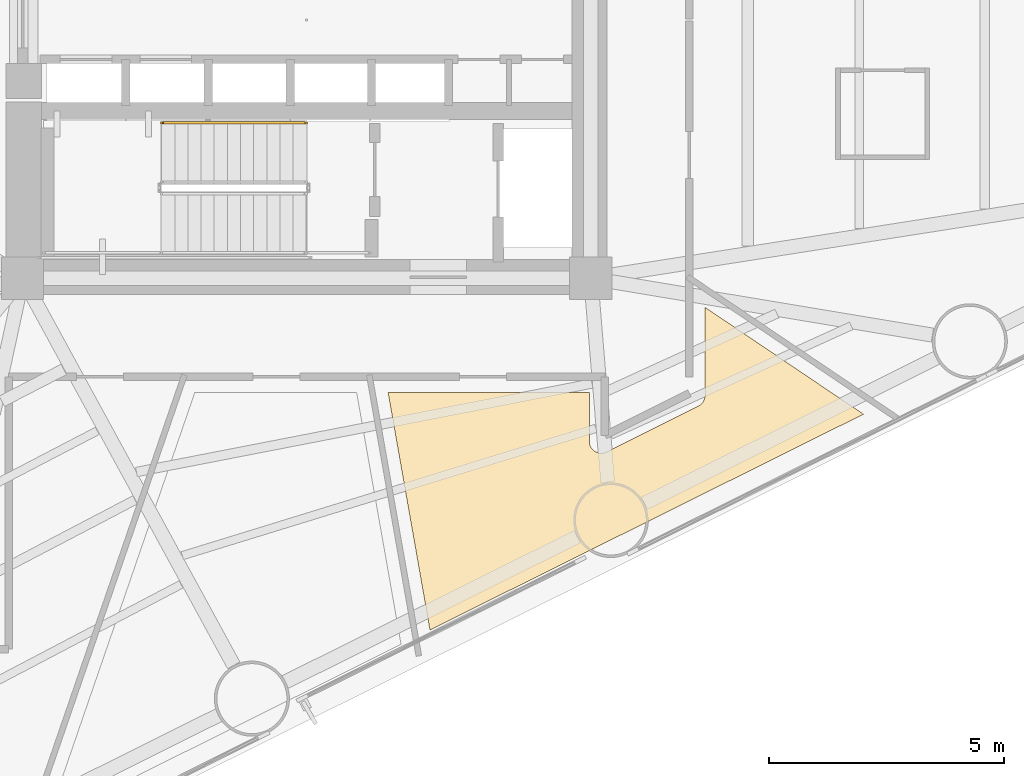
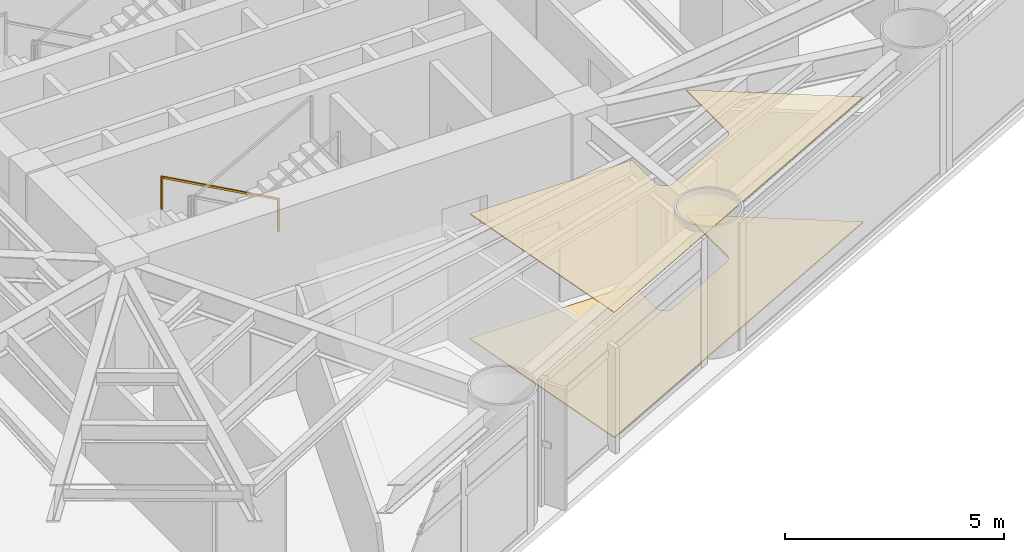
# One storey, part 9 of 11: 2 coverings, 1 railing.
"""IFC4 building model written with IfcOpenShell, lengths in metres."""

from ifc_helpers import new_model, si_unit, direction, frame, origin, origin_2d, place, context, subcontext, project, spatial, polyline, rectangle, outline, extrude, material, layer, layer_set, type_object, element, save


model = new_model("IFC4")

# Units and contexts
model_context = context("Model", 3, precision=1e-05, world=origin(), true_north=direction((0.0, 1.0)))
body_context = subcontext(model_context, "Body", "Model", "MODEL_VIEW")
ifc_project = project(units=[si_unit("LENGTHUNIT", "METRE"), si_unit("AREAUNIT", "SQUARE_METRE"), si_unit("VOLUMEUNIT", "CUBIC_METRE"), si_unit("PLANEANGLEUNIT", "RADIAN"), si_unit("MASSUNIT", "GRAM", prefix="KILO")], contexts=[model_context])

# Site, building, storey
site_placement = place(None, origin())
site = spatial("IfcSite", under=ifc_project, at=site_placement, CompositionType="ELEMENT")
building_placement = place(site_placement, origin())
building = spatial("IfcBuilding", under=site, at=building_placement, Name="Yunling Apex Tower", CompositionType="ELEMENT")
storey_placement = place(building_placement, frame((0.0, 0.0, 42.300048828125)))
storey = spatial("IfcBuildingStorey", under=building, at=storey_placement, Name="L12", CompositionType="ELEMENT", Elevation=42.300048828125)

# Coverings
ifc_material_1 = material(Name="Acoustic mineral fibre ceiling")
ifc_layer_1 = layer(ifc_material_1, 0.02490234375)
ifc_layer_set_1 = layer_set([ifc_layer_1], Name="Acoustic mineral fibre ceiling")
covering_type_1 = type_object("IfcCoveringType", Name="CV-CLG-1", PredefinedType="CEILING", material=ifc_layer_set_1)
covering_1_placement = place(storey_placement, frame((0.0, 0.0, 3.489990234375)))
element("IfcCovering", 1, at=covering_1_placement, inside=storey, type_object=covering_type_1, Name="CV-CL-SP-L12-R04", PredefinedType="CEILING", context=body_context, shape_type="SweptSolid", body=[
    extrude(outline(polyline([(11.856689453125, -8.3955078125), (2.62548828125, -12.989990234375), (1.7333984375, -7.929931640625), (6.02001953125, -7.929931640625), (6.02001953125, -8.979248046875), (6.020751953125, -9.001708984375), (6.025146484375, -9.0263671875), (6.029541015625, -9.044921875), (6.037353515625, -9.06787109375), (6.048583984375, -9.09228515625), (6.060546875, -9.1123046875), (6.076416015625, -9.134521484375), (6.093017578125, -9.152099609375), (6.106689453125, -9.1650390625), (6.128173828125, -9.181884765625), (6.149658203125, -9.194580078125), (6.17041015625, -9.205078125), (6.1923828125, -9.213134765625), (6.2138671875, -9.219482421875), (6.239501953125, -9.22412109375), (6.265380859375, -9.225830078125), (6.291015625, -9.224853515625), (6.3125, -9.221923828125), (6.335205078125, -9.21728515625), (6.3603515625, -9.208984375), (6.377197265625, -9.201416015625), (8.347412109375, -8.220703125), (8.363037109375, -8.2119140625), (8.383056640625, -8.1982421875), (8.40478515625, -8.17919921875), (8.420654296875, -8.161865234375), (8.435302734375, -8.143310546875), (8.44970703125, -8.1201171875), (8.4609375, -8.0966796875), (8.468505859375, -8.0751953125), (8.4755859375, -8.050048828125), (8.47900390625, -8.024658203125), (8.47998046875, -8.007080078125), (8.47998046875, -6.117919921875), (11.856689453125, -8.3955078125)])), origin(), (0.0, 0.0, 1.0), 0.02490234375),
])
ifc_material_2 = material(Name="Polished granite stone", Category="masonry")
ifc_layer_2 = layer(ifc_material_2, 0.030029296875)
ifc_layer_set_2 = layer_set([ifc_layer_2], Name="Polished granite stone")
covering_type_2 = type_object("IfcCoveringType", Name="CV-FLR-1", PredefinedType="FLOORING", material=ifc_layer_set_2)
covering_2_placement = place(storey_placement, origin())
element("IfcCovering", 2, at=covering_2_placement, inside=storey, type_object=covering_type_2, Name="CV-FL-SP-L12-R04", PredefinedType="FLOORING", context=body_context, shape_type="SweptSolid", body=[
    extrude(outline(polyline([(11.856689453125, -8.3955078125), (2.62548828125, -12.989990234375), (1.7333984375, -7.929931640625), (6.02001953125, -7.929931640625), (6.02001953125, -8.979248046875), (6.020751953125, -9.001708984375), (6.025146484375, -9.0263671875), (6.029541015625, -9.044921875), (6.037353515625, -9.06787109375), (6.048583984375, -9.09228515625), (6.060546875, -9.1123046875), (6.076416015625, -9.134521484375), (6.093017578125, -9.152099609375), (6.106689453125, -9.1650390625), (6.128173828125, -9.181884765625), (6.149658203125, -9.194580078125), (6.17041015625, -9.205078125), (6.1923828125, -9.213134765625), (6.2138671875, -9.219482421875), (6.239501953125, -9.22412109375), (6.265380859375, -9.225830078125), (6.291015625, -9.224853515625), (6.3125, -9.221923828125), (6.335205078125, -9.21728515625), (6.3603515625, -9.208984375), (6.377197265625, -9.201416015625), (8.347412109375, -8.220703125), (8.363037109375, -8.2119140625), (8.383056640625, -8.1982421875), (8.40478515625, -8.17919921875), (8.420654296875, -8.161865234375), (8.435302734375, -8.143310546875), (8.44970703125, -8.1201171875), (8.4609375, -8.0966796875), (8.468505859375, -8.0751953125), (8.4755859375, -8.050048828125), (8.47900390625, -8.024658203125), (8.47998046875, -8.007080078125), (8.47998046875, -6.117919921875), (11.856689453125, -8.3955078125)])), origin(), (0.0, 0.0, 1.0), 0.030029296875),
])

# Railing
ifc_material_3 = material(Name="Silver anodised aluminium", Category="aluminium")
railing_type = type_object("IfcRailingType", Name="RL-HND-900", PredefinedType="HANDRAIL", material=ifc_material_3)
railing_placement = place(storey_placement, frame((-0.010009765625, -2.18994140625, 0.154052734375)))
element("IfcRailing", 3, at=railing_placement, inside=storey, type_object=railing_type, Name="L12 ST-2 stair handrail 1", PredefinedType="HANDRAIL", context=body_context, shape_type="SweptSolid", body=[
    extrude(rectangle(XDim=0.0439453125, YDim=0.0439453125, at=origin_2d()), origin(), (0.0, 0.0, 1.0), 0.919921875),
    extrude(rectangle(XDim=0.0439453125, YDim=0.0439453125, at=origin_2d()), frame((-3.080078125, 0.0, 1.69580078125)), (0.0, 0.0, 1.0), 0.919921875),
    extrude(rectangle(XDim=0.050048828125, YDim=0.050048828125, at=origin_2d()), frame((-0.03369140625, 0.0, 0.913330078125), z_axis=(-0.876004717809, 0.0, 0.482302534076), x_axis=(0.0, -1.0, 0.0)), (0.0, 0.0, 1.0), 3.439453125),
])

save(model, "model.ifc")
